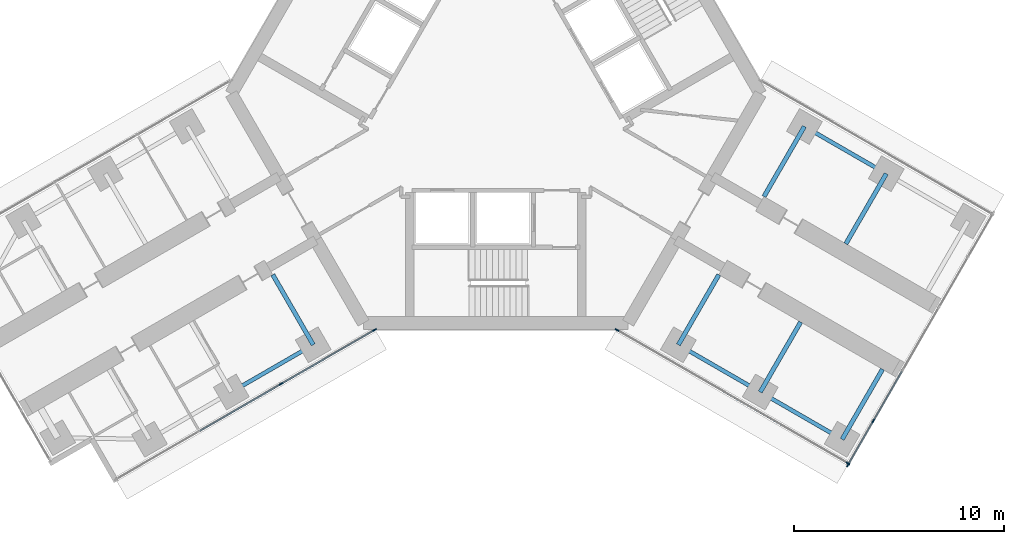
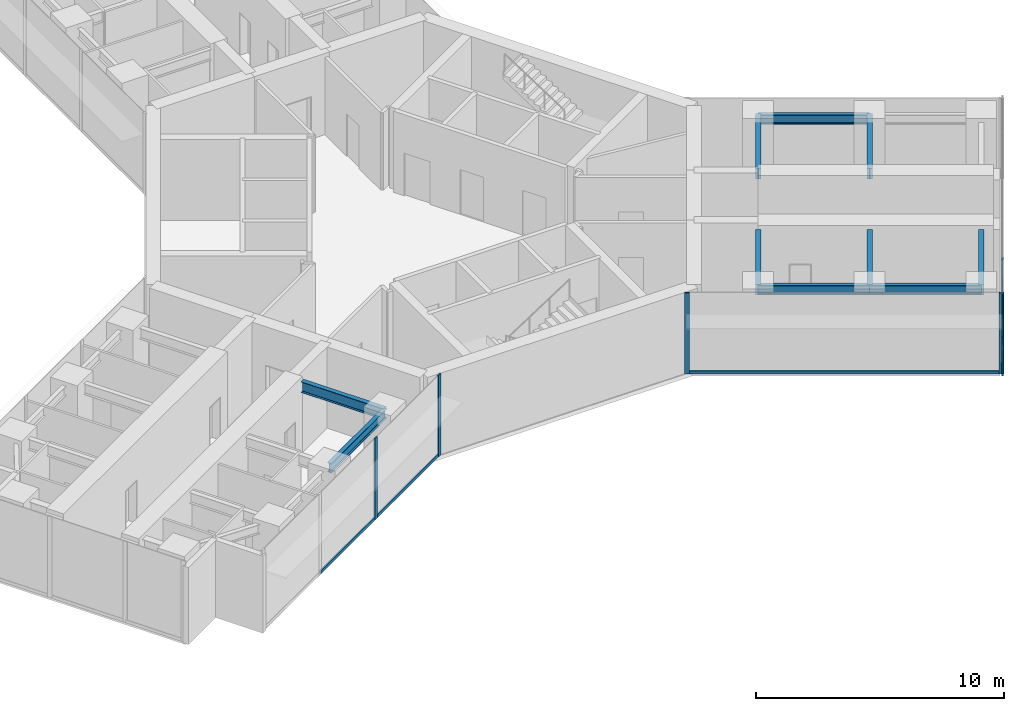
# One storey, part 8 of 23: 11 members, 10 beams, 3 elements without a shape of their own.
"""IFC4 building model written with IfcOpenShell, lengths in metres."""

from ifc_helpers import new_model, si_unit, direction, frame, origin, origin_2d, place, context, subcontext, project, spatial, rectangle, i_section, extrude, material, material_profile, profile_set, type_object, element, aggregate, save


model = new_model("IFC4")

# Units and contexts
model_context = context("Model", 3, precision=1e-05, world=origin(), true_north=direction((0.0, 1.0)))
body_context = subcontext(model_context, "Body", "Model", "MODEL_VIEW")
ifc_project = project(units=[si_unit("LENGTHUNIT", "METRE"), si_unit("AREAUNIT", "SQUARE_METRE"), si_unit("VOLUMEUNIT", "CUBIC_METRE"), si_unit("PLANEANGLEUNIT", "RADIAN"), si_unit("MASSUNIT", "GRAM", prefix="KILO")], contexts=[model_context])

# Site, building, storey
site_placement = place(None, origin())
site = spatial("IfcSite", under=ifc_project, at=site_placement, CompositionType="ELEMENT")
building_placement = place(site_placement, origin())
building = spatial("IfcBuilding", under=site, at=building_placement, Name="Upepo Twin Towers", CompositionType="ELEMENT")
storey_placement = place(building_placement, frame((0.0, 0.0, 145.5)))
storey = spatial("IfcBuildingStorey", under=building, at=storey_placement, Name="L35", CompositionType="ELEMENT", Elevation=145.5)

# Beams
ifc_material_1 = material(Name="Steel S355", Category="steel")
ifc_material_profile_1 = material_profile(ifc_material_1, i_section(OverallWidth=0.1904296875, OverallDepth=0.45703125, WebThickness=0.009033203125, FlangeThickness=0.014404296875, FilletRadius=0.01025390625, at=origin_2d()), Name="UB 457x191x74")
ifc_profile_set_1 = profile_set([ifc_material_profile_1], Name="Steel S355")
beam_type_1 = type_object("IfcBeamType", Name="Beam UB 457x191x74", PredefinedType="BEAM", material=ifc_profile_set_1)
for number, where, z_axis, x_axis, name in (
    (1, (49.80859375, -29.946044921875, 3.571533203125), (-0.866017533419, -0.500013631625, 0.0), (0.500013631625, -0.866017533419, 0.0), "T2 edge beam BL 13.5-18.0"),
    (2, (73.19140625, -19.553955078125, 3.571533203125), (0.866017533419, -0.500013631625, 0.0), (0.500013631625, 0.866017533419, 0.0), "T2 edge beam CL 13.5-18.0"),
    (3, (67.19140625, -29.946044921875, 3.571533203125), (0.866017533419, -0.500013631625, 0.0), (0.500013631625, 0.866017533419, 0.0), "T2 edge beam CR 13.5-18.0"),
):
    element("IfcBeam", number, at=place(storey_placement, frame(where, z_axis=z_axis, x_axis=x_axis)), inside=storey, type_object=beam_type_1, Name=name, PredefinedType="BEAM", context=body_context, shape_type="SweptSolid", body=[
        extrude(i_section(OverallWidth=0.1904296875, OverallDepth=0.45703125, WebThickness=0.009033203125, FlangeThickness=0.014404296875, FilletRadius=0.01025390625, at=origin_2d()), origin(), (0.0, 0.0, 1.0), 4.499755859375),
    ])
beam_1_placement = place(storey_placement, frame((71.08837890625, -32.196044921875, 3.571533203125), z_axis=(0.866031096941, -0.499990139034, 0.0), x_axis=(0.499990139034, 0.866031096941, 0.0)))
element("IfcBeam", 4, at=beam_1_placement, inside=storey, type_object=beam_type_1, Name="T2 edge beam CR 18.0-22.5", PredefinedType="BEAM", context=body_context, shape_type="SweptSolid", body=[
    extrude(i_section(OverallWidth=0.1904296875, OverallDepth=0.45703125, WebThickness=0.009033203125, FlangeThickness=0.014404296875, FilletRadius=0.01025390625, at=origin_2d()), origin(), (0.0, 0.0, 1.0), 4.5),
])
ifc_material_2 = material(Name="Steel S355", Category="steel")
ifc_material_profile_2 = material_profile(ifc_material_2, i_section(OverallWidth=0.209228515625, OverallDepth=0.533203125, WebThickness=0.010009765625, FlangeThickness=0.015625, FilletRadius=0.0126953125, at=origin_2d()), Name="UB 533x210x92")
ifc_profile_set_2 = profile_set([ifc_material_profile_2], Name="Steel S355")
beam_type_2 = type_object("IfcBeamType", Name="Beam UB 533x210x92", PredefinedType="BEAM", material=ifc_profile_set_2)
for number, where, z_axis, x_axis, name in (
    (5, (49.80859375, -29.946044921875, 3.533447265625), (-0.500033517596, 0.866006051527, 0.0), (-0.866006051527, -0.500033517596, 0.0), "T2 girder BL at 13.5"),
    (6, (73.19140625, -19.553955078125, 3.533447265625), (-0.500033517596, -0.866006051527, 0.0), (0.866006051527, -0.500033517596, 0.0), "T2 girder CL at 13.5"),
):
    element("IfcBeam", number, at=place(storey_placement, frame(where, z_axis=z_axis, x_axis=x_axis)), inside=storey, type_object=beam_type_2, Name=name, PredefinedType="BEAM", context=body_context, shape_type="SweptSolid", body=[
        extrude(i_section(OverallWidth=0.209228515625, OverallDepth=0.533203125, WebThickness=0.010009765625, FlangeThickness=0.015625, FilletRadius=0.0126953125, at=origin_2d()), origin(), (0.0, 0.0, 1.0), 3.849853515625),
    ])
beam_2_placement = place(storey_placement, frame((77.08837890625, -21.803955078125, 3.533447265625), z_axis=(-0.499985955615, -0.866033512162, 0.0), x_axis=(0.866033512162, -0.499985955615, 0.0)))
element("IfcBeam", 7, at=beam_2_placement, inside=storey, type_object=beam_type_2, Name="T2 girder CL at 18.0", PredefinedType="BEAM", context=body_context, shape_type="SweptSolid", body=[
    extrude(i_section(OverallWidth=0.209228515625, OverallDepth=0.533203125, WebThickness=0.010009765625, FlangeThickness=0.015625, FilletRadius=0.0126953125, at=origin_2d()), origin(), (0.0, 0.0, 1.0), 3.849609375),
])
for number, where, z_axis, x_axis, name in (
    (8, (67.19140625, -29.946044921875, 3.533447265625), (0.500033517596, 0.866006051527, 0.0), (-0.866006051527, 0.500033517596, 0.0), "T2 girder CR at 13.5"),
    (9, (71.08837890625, -32.196044921875, 3.533447265625), (0.500033517596, 0.866006051527, 0.0), (-0.866006051527, 0.500033517596, 0.0), "T2 girder CR at 18.0"),
    (10, (74.985595703125, -34.446044921875, 3.533447265625), (0.500033517596, 0.866006051527, 0.0), (-0.866006051527, 0.500033517596, 0.0), "T2 girder CR at 22.5"),
):
    element("IfcBeam", number, at=place(storey_placement, frame(where, z_axis=z_axis, x_axis=x_axis)), inside=storey, type_object=beam_type_2, Name=name, PredefinedType="BEAM", context=body_context, shape_type="SweptSolid", body=[
        extrude(i_section(OverallWidth=0.209228515625, OverallDepth=0.533203125, WebThickness=0.010009765625, FlangeThickness=0.015625, FilletRadius=0.0126953125, at=origin_2d()), origin(), (0.0, 0.0, 1.0), 3.849853515625),
    ])

# Curtain wall, members
ifc_material_3 = material(Name="Aluminium and fritted glass", Category="aluminium")
curtain_wall_type = type_object("IfcCurtainWallType", Name="Tower curtain wall TW2, fritted glass", PredefinedType="NOTDEFINED", material=ifc_material_3)
curtain_wall_1_placement = place(storey_placement, origin())
curtain_wall_1 = element("IfcCurtainWall", 11, at=curtain_wall_1_placement, inside=storey, type_object=curtain_wall_type, Name="T2 L35 wing B flank L curtain wall", PredefinedType="NOTDEFINED")
ifc_material_4 = material(Name="Aluminium mullion", Category="aluminium")
ifc_material_profile_3 = material_profile(ifc_material_4, rectangle(XDim=0.06494140625, YDim=0.199951171875, at=origin_2d()), Name="MULLION 65x200")
ifc_profile_set_3 = profile_set([ifc_material_profile_3], Name="Aluminium mullion")
member_type_1 = type_object("IfcMemberType", Name="Mullion 65x200 TW2", PredefinedType="MULLION", material=ifc_profile_set_3)
member_1_placement = place(storey_placement, frame((52.72802734375, -29.2421875, 0.0), z_axis=(0.0, 0.0, 1.0), x_axis=(0.500000010308, -0.866025397833, 0.0)))
member_1 = element("IfcMember", 12, at=member_1_placement, type_object=member_type_1, Name="T2 L35 wing B flank L curtain wall mullion 1", PredefinedType="MULLION", context=body_context, shape_type="SweptSolid", body=[
    extrude(rectangle(XDim=0.06494140625, YDim=0.199951171875, at=origin_2d()), origin(), (0.0, 0.0, 1.0), 4.0),
])
member_2_placement = place(storey_placement, frame((48.28515625, -31.807373046875, 0.0), z_axis=(0.0, 0.0, 1.0), x_axis=(0.500000010308, -0.866025397833, 0.0)))
member_2 = element("IfcMember", 13, at=member_2_placement, type_object=member_type_1, Name="T2 L35 wing B flank L curtain wall mullion 2", PredefinedType="MULLION", context=body_context, shape_type="SweptSolid", body=[
    extrude(rectangle(XDim=0.06494140625, YDim=0.199951171875, at=origin_2d()), origin(), (0.0, 0.0, 1.0), 4.0),
])

curtain_wall_2_placement = place(storey_placement, origin())
curtain_wall_2 = element("IfcCurtainWall", 14, at=curtain_wall_2_placement, inside=storey, type_object=curtain_wall_type, Name="T2 L35 wing C flank R curtain wall", PredefinedType="NOTDEFINED")
member_3_placement = place(storey_placement, frame((75.2685546875, -35.591064453125, 0.0), z_axis=(0.0, 0.0, 1.0), x_axis=(-0.50000000792, -0.866025399212, 0.0)))
member_3 = element("IfcMember", 15, at=member_3_placement, type_object=member_type_1, Name="T2 L35 wing C flank R curtain wall mullion 1", PredefinedType="MULLION", context=body_context, shape_type="SweptSolid", body=[
    extrude(rectangle(XDim=0.06494140625, YDim=0.199951171875, at=origin_2d()), origin(), (0.0, 0.0, 1.0), 4.0),
])
member_4_placement = place(storey_placement, frame((64.27197265625, -29.2421875, 0.0), z_axis=(0.0, 0.0, 1.0), x_axis=(-0.50000000792, -0.866025399212, 0.0)))
member_4 = element("IfcMember", 16, at=member_4_placement, type_object=member_type_1, Name="T2 L35 wing C flank R curtain wall mullion 2", PredefinedType="MULLION", context=body_context, shape_type="SweptSolid", body=[
    extrude(rectangle(XDim=0.06494140625, YDim=0.199951171875, at=origin_2d()), origin(), (0.0, 0.0, 1.0), 4.0),
])

curtain_wall_3_placement = place(storey_placement, origin())
curtain_wall_3 = element("IfcCurtainWall", 17, at=curtain_wall_3_placement, inside=storey, type_object=curtain_wall_type, Name="T2 L35 wing C nose curtain wall", PredefinedType="NOTDEFINED")
member_5_placement = place(storey_placement, frame((75.262939453125, -35.665771484375, 0.0), z_axis=(0.0, 0.0, 1.0), x_axis=(-0.866025419745, 0.499999972355, 0.0)))
member_5 = element("IfcMember", 18, at=member_5_placement, type_object=member_type_1, Name="T2 L35 wing C nose curtain wall mullion 1", PredefinedType="MULLION", context=body_context, shape_type="SweptSolid", body=[
    extrude(rectangle(XDim=0.06494140625, YDim=0.199951171875, at=origin_2d()), origin(), (0.0, 0.0, 1.0), 4.0),
])
member_6_placement = place(storey_placement, frame((76.4716796875, -33.572021484375, 0.0), z_axis=(0.0, 0.0, 1.0), x_axis=(-0.866025419745, 0.499999972355, 0.0)))
member_6 = element("IfcMember", 19, at=member_6_placement, type_object=member_type_1, Name="T2 L35 wing C nose curtain wall mullion 2", PredefinedType="MULLION", context=body_context, shape_type="SweptSolid", body=[
    extrude(rectangle(XDim=0.06494140625, YDim=0.199951171875, at=origin_2d()), origin(), (0.0, 0.0, 1.0), 4.0),
])

# Member
ifc_material_5 = material(Name="Aluminium transom", Category="aluminium")
ifc_material_profile_4 = material_profile(ifc_material_5, rectangle(XDim=0.06494140625, YDim=0.14990234375, at=origin_2d()), Name="TRANSOM 65x150")
ifc_profile_set_4 = profile_set([ifc_material_profile_4], Name="Aluminium transom")
member_type_2 = type_object("IfcMemberType", Name="Transom 65x150 TW2", PredefinedType="USERDEFINED", material=ifc_profile_set_4)
member_7_placement = place(storey_placement, frame((52.699951171875, -29.25830078125, 0.074951171875), z_axis=(-0.866021848223, -0.500006158363, 0.0), x_axis=(0.500006158363, -0.866021848223, 0.0)))
member_7 = element("IfcMember", 20, at=member_7_placement, type_object=member_type_2, Name="T2 L35 wing B flank L curtain wall transom 1", ObjectType="TRANSOM", PredefinedType="USERDEFINED", context=body_context, shape_type="SweptSolid", body=[
    extrude(rectangle(XDim=0.06494140625, YDim=0.14990234375, at=origin_2d()), origin(), (0.0, 0.0, 1.0), 5.0654296875),
])

member_8_placement = place(storey_placement, frame((48.2568359375, -31.823486328125, 0.074951171875), z_axis=(-0.866022410713, -0.500005184116, 0.0), x_axis=(0.500005184116, -0.866022410713, 0.0)))
member_8 = element("IfcMember", 21, at=member_8_placement, type_object=member_type_2, Name="T2 L35 wing B flank L curtain wall transom 2", ObjectType="TRANSOM", PredefinedType="USERDEFINED", context=body_context, shape_type="SweptSolid", body=[
    extrude(rectangle(XDim=0.06494140625, YDim=0.14990234375, at=origin_2d()), origin(), (0.0, 0.0, 1.0), 4.43505859375),
])

aggregate(curtain_wall_1, [member_1, member_2, member_7, member_8])

member_9_placement = place(storey_placement, frame((75.240478515625, -35.57470703125, 0.074951171875), z_axis=(-0.866027247007, 0.499996807431, 0.0), x_axis=(-0.499996807431, -0.866027247007, 0.0)))
member_9 = element("IfcMember", 22, at=member_9_placement, type_object=member_type_2, Name="T2 L35 wing C flank R curtain wall transom 1", ObjectType="TRANSOM", PredefinedType="USERDEFINED", context=body_context, shape_type="SweptSolid", body=[
    extrude(rectangle(XDim=0.06494140625, YDim=0.14990234375, at=origin_2d()), origin(), (0.0, 0.0, 1.0), 12.6328125),
])

aggregate(curtain_wall_2, [member_3, member_4, member_9])

member_10_placement = place(storey_placement, frame((75.279296875, -35.6376953125, 0.074951171875), z_axis=(0.499923095048, 0.866069800327, 0.0), x_axis=(-0.866069800327, 0.499923095048, 0.0)))
member_10 = element("IfcMember", 23, at=member_10_placement, type_object=member_type_2, Name="T2 L35 wing C nose curtain wall transom 1", ObjectType="TRANSOM", PredefinedType="USERDEFINED", context=body_context, shape_type="SweptSolid", body=[
    extrude(rectangle(XDim=0.06494140625, YDim=0.14990234375, at=origin_2d()), origin(), (0.0, 0.0, 1.0), 2.352294921875),
])

member_11_placement = place(storey_placement, frame((76.488037109375, -33.5439453125, 0.074951171875), z_axis=(0.49995335277, 0.8660523339, 0.0), x_axis=(-0.8660523339, 0.49995335277, 0.0)))
member_11 = element("IfcMember", 24, at=member_11_placement, type_object=member_type_2, Name="T2 L35 wing C nose curtain wall transom 2", ObjectType="TRANSOM", PredefinedType="USERDEFINED", context=body_context, shape_type="SweptSolid", body=[
    extrude(rectangle(XDim=0.06494140625, YDim=0.14990234375, at=origin_2d()), origin(), (0.0, 0.0, 1.0), 2.684814453125),
])

aggregate(curtain_wall_3, [member_5, member_6, member_10, member_11])

save(model, "model.ifc")
